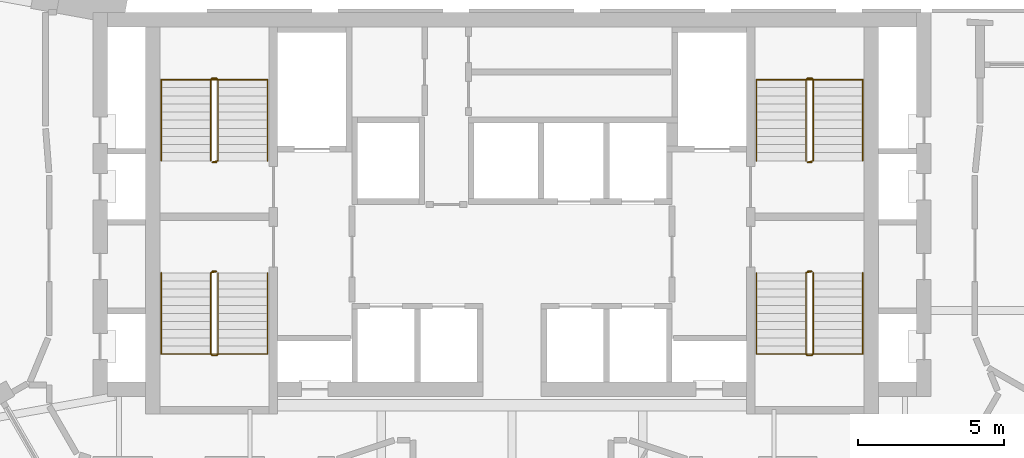
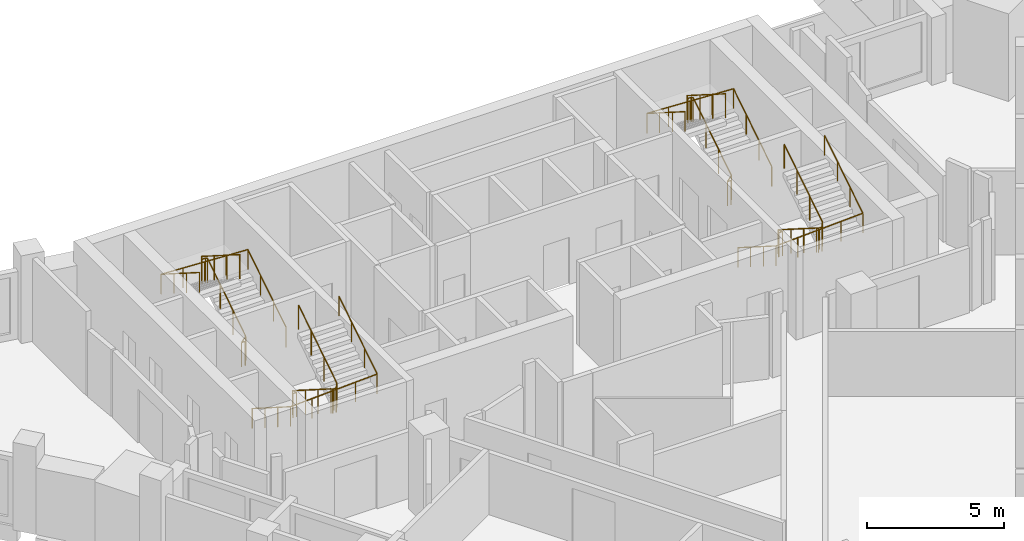
# One storey, part 9 of 9: 8 railings.
"""IFC4 building model written with IfcOpenShell, lengths in metres."""

from ifc_helpers import new_model, si_unit, direction, frame, origin, origin_2d, place, context, subcontext, project, spatial, circle, extrude, material, type_object, element, save


model = new_model("IFC4")

# Units and contexts
model_context = context("Model", 3, precision=1e-05, world=origin(), true_north=direction((0.0, 1.0)))
body_context = subcontext(model_context, "Body", "Model", "MODEL_VIEW")
ifc_project = project(units=[si_unit("LENGTHUNIT", "METRE"), si_unit("AREAUNIT", "SQUARE_METRE"), si_unit("VOLUMEUNIT", "CUBIC_METRE"), si_unit("PLANEANGLEUNIT", "RADIAN"), si_unit("MASSUNIT", "GRAM", prefix="KILO")], contexts=[model_context])

# Site, building, storey
site_placement = place(None, origin())
site = spatial("IfcSite", under=ifc_project, at=site_placement, CompositionType="ELEMENT")
building_placement = place(site_placement, origin())
building = spatial("IfcBuilding", under=site, at=building_placement, Name="Calabash Gate Tower", CompositionType="ELEMENT")
storey_placement = place(building_placement, frame((0.0, 0.0, 235.39990234375)))
storey = spatial("IfcBuildingStorey", under=building, at=storey_placement, Name="L56", CompositionType="ELEMENT", Elevation=235.39990234375)

# Railings
ifc_material_1 = material(Name="Black powder-coated steel balusters", Category="steel")
railing_type_1 = type_object("IfcRailingType", Name="Stair guard RL1100", PredefinedType="GUARDRAIL", material=ifc_material_1)
railing_1_placement = place(storey_placement, frame((-10.14990234375, 13.902587890625, 0.0)))
element("IfcRailing", 1, at=railing_1_placement, inside=storey, type_object=railing_type_1, Name="L56 ST1 stair guard 1", PredefinedType="GUARDRAIL", context=body_context, shape_type="SweptSolid", body=[
    extrude(circle(Radius=0.02392578125, at=origin_2d()), frame((0.0, 0.0, 1.076171875), z_axis=(-1.0, 0.0, 0.0), x_axis=(0.0, -1.0, 0.0)), (0.0, 0.0, 1.0), 0.150146484375),
    extrude(circle(Radius=0.02392578125, at=origin_2d()), frame((-0.150146484375, 0.0, 1.076171875), z_axis=(0.735094037398, 0.183997897029, 0.652519371414), x_axis=(-0.242814311512, 0.970072785993, 0.0)), (0.0, 0.0, 1.0), 0.27197265625),
    extrude(circle(Radius=0.02392578125, at=origin_2d()), frame((0.0498046875, 0.050048828125, 1.25341796875), z_axis=(0.0, 0.844041424197, 0.536277982245), x_axis=(-1.0, 0.0, 0.0)), (0.0, 0.0, 1.0), 3.3056640625),
    extrude(circle(Radius=0.02392578125, at=origin_2d()), frame((0.0498046875, 2.840087890625, 3.0263671875), z_axis=(-0.707106781187, 0.707106781187, 0.0), x_axis=(-0.707106781187, -0.707106781187, 0.0)), (0.0, 0.0, 1.0), 0.0703125),
    extrude(circle(Radius=0.02392578125, at=origin_2d()), frame((0.0, 2.889892578125, 3.0263671875), z_axis=(-1.0, 0.0, 0.0), x_axis=(0.0, -1.0, 0.0)), (0.0, 0.0, 1.0), 0.150146484375),
    extrude(circle(Radius=0.02392578125, at=origin_2d()), frame((-0.150146484375, 2.889892578125, 3.0263671875), z_axis=(-0.262321481514, -0.261041864531, 0.929001929653), x_axis=(0.705375805398, -0.708833529934, 0.0)), (0.0, 0.0, 1.0), 0.190673828125),
    extrude(circle(Radius=0.02392578125, at=origin_2d()), frame((-0.2001953125, 2.840087890625, 3.20361328125), z_axis=(0.0, -0.844041424197, 0.536277982245), x_axis=(1.0, 0.0, 0.0)), (0.0, 0.0, 1.0), 3.3056640625),
    extrude(circle(Radius=0.02099609375, at=origin_2d()), origin(), (0.0, 0.0, 1.0), 1.052001953125),
    extrude(circle(Radius=0.02099609375, at=origin_2d()), frame((-0.150146484375, 0.0, 0.0)), (0.0, 0.0, 1.0), 1.052001953125),
    extrude(circle(Radius=0.02099609375, at=origin_2d()), frame((0.0498046875, 0.050048828125, 0.177490234375)), (0.0, 0.0, 1.0), 1.052001953125),
    extrude(circle(Radius=0.02099609375, at=origin_2d()), frame((0.0498046875, 0.97998046875, 0.768310546875)), (0.0, 0.0, 1.0), 1.052001953125),
    extrude(circle(Radius=0.02099609375, at=origin_2d()), frame((0.0498046875, 1.91015625, 1.359375)), (0.0, 0.0, 1.0), 1.052001953125),
    extrude(circle(Radius=0.02099609375, at=origin_2d()), frame((0.0498046875, 2.840087890625, 1.9501953125)), (0.0, 0.0, 1.0), 1.052001953125),
    extrude(circle(Radius=0.02099609375, at=origin_2d()), frame((0.0, 2.889892578125, 1.9501953125)), (0.0, 0.0, 1.0), 1.052001953125),
    extrude(circle(Radius=0.02099609375, at=origin_2d()), frame((-0.150146484375, 2.889892578125, 1.9501953125)), (0.0, 0.0, 1.0), 1.052001953125),
    extrude(circle(Radius=0.02099609375, at=origin_2d()), frame((-0.2001953125, 2.840087890625, 2.12744140625)), (0.0, 0.0, 1.0), 1.052001953125),
    extrude(circle(Radius=0.02099609375, at=origin_2d()), frame((-0.2001953125, 1.91015625, 2.71826171875)), (0.0, 0.0, 1.0), 1.052001953125),
    extrude(circle(Radius=0.02099609375, at=origin_2d()), frame((-0.2001953125, 0.97998046875, 3.309326171875)), (0.0, 0.0, 1.0), 1.052001953125),
    extrude(circle(Radius=0.02099609375, at=origin_2d()), frame((-0.2001953125, 0.050048828125, 3.900146484375)), (0.0, 0.0, 1.0), 1.052001953125),
])
railing_2_placement = place(storey_placement, frame((-10.300048828125, 10.152587890625, 0.0)))
element("IfcRailing", 2, at=railing_2_placement, inside=storey, type_object=railing_type_1, Name="L56 ST2 stair guard 1", PredefinedType="GUARDRAIL", context=body_context, shape_type="SweptSolid", body=[
    extrude(circle(Radius=0.02392578125, at=origin_2d()), frame((0.0, 0.0, 1.076171875), z_axis=(1.0, 0.0, 0.0), x_axis=(0.0, 1.0, 0.0)), (0.0, 0.0, 1.0), 0.150146484375),
    extrude(circle(Radius=0.02392578125, at=origin_2d()), frame((0.150146484375, 0.0, 1.076171875), z_axis=(-0.735506176693, -0.183876544173, 0.652089012751), x_axis=(0.242535625036, -0.970142500145, 0.0)), (0.0, 0.0, 1.0), 0.272216796875),
    extrude(circle(Radius=0.02392578125, at=origin_2d()), frame((-0.050048828125, -0.050048828125, 1.25341796875), z_axis=(0.0, -0.844041424197, 0.536277982245), x_axis=(1.0, 0.0, 0.0)), (0.0, 0.0, 1.0), 3.3056640625),
    extrude(circle(Radius=0.02392578125, at=origin_2d()), frame((-0.050048828125, -2.840087890625, 3.0263671875), z_axis=(0.708833529934, -0.705375805398, 0.0), x_axis=(0.705375805398, 0.708833529934, 0.0)), (0.0, 0.0, 1.0), 0.070556640625),
    extrude(circle(Radius=0.02392578125, at=origin_2d()), frame((0.0, -2.889892578125, 3.0263671875), z_axis=(1.0, 0.0, 0.0), x_axis=(0.0, 1.0, 0.0)), (0.0, 0.0, 1.0), 0.150146484375),
    extrude(circle(Radius=0.02392578125, at=origin_2d()), frame((0.150146484375, -2.889892578125, 3.0263671875), z_axis=(0.261129318932, 0.261129318932, 0.929313164433), x_axis=(-0.707106781187, 0.707106781187, 0.0)), (0.0, 0.0, 1.0), 0.190673828125),
    extrude(circle(Radius=0.02392578125, at=origin_2d()), frame((0.199951171875, -2.840087890625, 3.20361328125), z_axis=(0.0, 0.844041424197, 0.536277982245), x_axis=(-1.0, 0.0, 0.0)), (0.0, 0.0, 1.0), 3.3056640625),
    extrude(circle(Radius=0.02099609375, at=origin_2d()), origin(), (0.0, 0.0, 1.0), 1.052001953125),
    extrude(circle(Radius=0.02099609375, at=origin_2d()), frame((0.150146484375, 0.0, 0.0)), (0.0, 0.0, 1.0), 1.052001953125),
    extrude(circle(Radius=0.02099609375, at=origin_2d()), frame((-0.050048828125, -0.050048828125, 0.177490234375)), (0.0, 0.0, 1.0), 1.052001953125),
    extrude(circle(Radius=0.02099609375, at=origin_2d()), frame((-0.050048828125, -0.97998046875, 0.768310546875)), (0.0, 0.0, 1.0), 1.052001953125),
    extrude(circle(Radius=0.02099609375, at=origin_2d()), frame((-0.050048828125, -1.91015625, 1.359375)), (0.0, 0.0, 1.0), 1.052001953125),
    extrude(circle(Radius=0.02099609375, at=origin_2d()), frame((-0.050048828125, -2.840087890625, 1.9501953125)), (0.0, 0.0, 1.0), 1.052001953125),
    extrude(circle(Radius=0.02099609375, at=origin_2d()), frame((0.0, -2.889892578125, 1.9501953125)), (0.0, 0.0, 1.0), 1.052001953125),
    extrude(circle(Radius=0.02099609375, at=origin_2d()), frame((0.150146484375, -2.889892578125, 1.9501953125)), (0.0, 0.0, 1.0), 1.052001953125),
    extrude(circle(Radius=0.02099609375, at=origin_2d()), frame((0.199951171875, -2.840087890625, 2.12744140625)), (0.0, 0.0, 1.0), 1.052001953125),
    extrude(circle(Radius=0.02099609375, at=origin_2d()), frame((0.199951171875, -1.91015625, 2.71826171875)), (0.0, 0.0, 1.0), 1.052001953125),
    extrude(circle(Radius=0.02099609375, at=origin_2d()), frame((0.199951171875, -0.97998046875, 3.309326171875)), (0.0, 0.0, 1.0), 1.052001953125),
    extrude(circle(Radius=0.02099609375, at=origin_2d()), frame((0.199951171875, -0.050048828125, 3.900146484375)), (0.0, 0.0, 1.0), 1.052001953125),
])
railing_3_placement = place(storey_placement, frame((10.300048828125, 13.902587890625, 0.0)))
element("IfcRailing", 3, at=railing_3_placement, inside=storey, type_object=railing_type_1, Name="L56 ST3 stair guard 1", PredefinedType="GUARDRAIL", context=body_context, shape_type="SweptSolid", body=[
    extrude(circle(Radius=0.02392578125, at=origin_2d()), frame((0.0, 0.0, 1.076171875), z_axis=(-1.0, 0.0, 0.0), x_axis=(0.0, -1.0, 0.0)), (0.0, 0.0, 1.0), 0.150146484375),
    extrude(circle(Radius=0.02392578125, at=origin_2d()), frame((-0.150146484375, 0.0, 1.076171875), z_axis=(0.735506176693, 0.183876544173, 0.652089012751), x_axis=(-0.242535625036, 0.970142500145, 0.0)), (0.0, 0.0, 1.0), 0.272216796875),
    extrude(circle(Radius=0.02392578125, at=origin_2d()), frame((0.050048828125, 0.050048828125, 1.25341796875), z_axis=(0.0, 0.844041424197, 0.536277982245), x_axis=(-1.0, 0.0, 0.0)), (0.0, 0.0, 1.0), 3.3056640625),
    extrude(circle(Radius=0.02392578125, at=origin_2d()), frame((0.050048828125, 2.840087890625, 3.0263671875), z_axis=(-0.708833529934, 0.705375805398, 0.0), x_axis=(-0.705375805398, -0.708833529934, 0.0)), (0.0, 0.0, 1.0), 0.070556640625),
    extrude(circle(Radius=0.02392578125, at=origin_2d()), frame((0.0, 2.889892578125, 3.0263671875), z_axis=(-1.0, 0.0, 0.0), x_axis=(0.0, -1.0, 0.0)), (0.0, 0.0, 1.0), 0.150146484375),
    extrude(circle(Radius=0.02392578125, at=origin_2d()), frame((-0.150146484375, 2.889892578125, 3.0263671875), z_axis=(-0.261129318932, -0.261129318932, 0.929313164433), x_axis=(0.707106781187, -0.707106781187, 0.0)), (0.0, 0.0, 1.0), 0.190673828125),
    extrude(circle(Radius=0.02392578125, at=origin_2d()), frame((-0.199951171875, 2.840087890625, 3.20361328125), z_axis=(0.0, -0.844041424197, 0.536277982245), x_axis=(1.0, 0.0, 0.0)), (0.0, 0.0, 1.0), 3.3056640625),
    extrude(circle(Radius=0.02099609375, at=origin_2d()), origin(), (0.0, 0.0, 1.0), 1.052001953125),
    extrude(circle(Radius=0.02099609375, at=origin_2d()), frame((-0.150146484375, 0.0, 0.0)), (0.0, 0.0, 1.0), 1.052001953125),
    extrude(circle(Radius=0.02099609375, at=origin_2d()), frame((0.050048828125, 0.050048828125, 0.177490234375)), (0.0, 0.0, 1.0), 1.052001953125),
    extrude(circle(Radius=0.02099609375, at=origin_2d()), frame((0.050048828125, 0.97998046875, 0.768310546875)), (0.0, 0.0, 1.0), 1.052001953125),
    extrude(circle(Radius=0.02099609375, at=origin_2d()), frame((0.050048828125, 1.91015625, 1.359375)), (0.0, 0.0, 1.0), 1.052001953125),
    extrude(circle(Radius=0.02099609375, at=origin_2d()), frame((0.050048828125, 2.840087890625, 1.9501953125)), (0.0, 0.0, 1.0), 1.052001953125),
    extrude(circle(Radius=0.02099609375, at=origin_2d()), frame((0.0, 2.889892578125, 1.9501953125)), (0.0, 0.0, 1.0), 1.052001953125),
    extrude(circle(Radius=0.02099609375, at=origin_2d()), frame((-0.150146484375, 2.889892578125, 1.9501953125)), (0.0, 0.0, 1.0), 1.052001953125),
    extrude(circle(Radius=0.02099609375, at=origin_2d()), frame((-0.199951171875, 2.840087890625, 2.12744140625)), (0.0, 0.0, 1.0), 1.052001953125),
    extrude(circle(Radius=0.02099609375, at=origin_2d()), frame((-0.199951171875, 1.91015625, 2.71826171875)), (0.0, 0.0, 1.0), 1.052001953125),
    extrude(circle(Radius=0.02099609375, at=origin_2d()), frame((-0.199951171875, 0.97998046875, 3.309326171875)), (0.0, 0.0, 1.0), 1.052001953125),
    extrude(circle(Radius=0.02099609375, at=origin_2d()), frame((-0.199951171875, 0.050048828125, 3.900146484375)), (0.0, 0.0, 1.0), 1.052001953125),
])
railing_4_placement = place(storey_placement, frame((10.14990234375, 10.152587890625, 0.0)))
element("IfcRailing", 4, at=railing_4_placement, inside=storey, type_object=railing_type_1, Name="L56 ST4 stair guard 1", PredefinedType="GUARDRAIL", context=body_context, shape_type="SweptSolid", body=[
    extrude(circle(Radius=0.02392578125, at=origin_2d()), frame((0.0, 0.0, 1.076171875), z_axis=(1.0, 0.0, 0.0), x_axis=(0.0, 1.0, 0.0)), (0.0, 0.0, 1.0), 0.150146484375),
    extrude(circle(Radius=0.02392578125, at=origin_2d()), frame((0.150146484375, 0.0, 1.076171875), z_axis=(-0.735094037398, -0.183997897029, 0.652519371414), x_axis=(0.242814311512, -0.970072785993, 0.0)), (0.0, 0.0, 1.0), 0.27197265625),
    extrude(circle(Radius=0.02392578125, at=origin_2d()), frame((-0.0498046875, -0.050048828125, 1.25341796875), z_axis=(0.0, -0.844041424197, 0.536277982245), x_axis=(1.0, 0.0, 0.0)), (0.0, 0.0, 1.0), 3.3056640625),
    extrude(circle(Radius=0.02392578125, at=origin_2d()), frame((-0.0498046875, -2.840087890625, 3.0263671875), z_axis=(0.707106781187, -0.707106781187, 0.0), x_axis=(0.707106781187, 0.707106781187, 0.0)), (0.0, 0.0, 1.0), 0.0703125),
    extrude(circle(Radius=0.02392578125, at=origin_2d()), frame((0.0, -2.889892578125, 3.0263671875), z_axis=(1.0, 0.0, 0.0), x_axis=(0.0, 1.0, 0.0)), (0.0, 0.0, 1.0), 0.150146484375),
    extrude(circle(Radius=0.02392578125, at=origin_2d()), frame((0.150146484375, -2.889892578125, 3.0263671875), z_axis=(0.262321481514, 0.261041864531, 0.929001929653), x_axis=(-0.705375805398, 0.708833529934, 0.0)), (0.0, 0.0, 1.0), 0.190673828125),
    extrude(circle(Radius=0.02392578125, at=origin_2d()), frame((0.2001953125, -2.840087890625, 3.20361328125), z_axis=(0.0, 0.844041424197, 0.536277982245), x_axis=(-1.0, 0.0, 0.0)), (0.0, 0.0, 1.0), 3.3056640625),
    extrude(circle(Radius=0.02099609375, at=origin_2d()), origin(), (0.0, 0.0, 1.0), 1.052001953125),
    extrude(circle(Radius=0.02099609375, at=origin_2d()), frame((0.150146484375, 0.0, 0.0)), (0.0, 0.0, 1.0), 1.052001953125),
    extrude(circle(Radius=0.02099609375, at=origin_2d()), frame((-0.0498046875, -0.050048828125, 0.177490234375)), (0.0, 0.0, 1.0), 1.052001953125),
    extrude(circle(Radius=0.02099609375, at=origin_2d()), frame((-0.0498046875, -0.97998046875, 0.768310546875)), (0.0, 0.0, 1.0), 1.052001953125),
    extrude(circle(Radius=0.02099609375, at=origin_2d()), frame((-0.0498046875, -1.91015625, 1.359375)), (0.0, 0.0, 1.0), 1.052001953125),
    extrude(circle(Radius=0.02099609375, at=origin_2d()), frame((-0.0498046875, -2.840087890625, 1.9501953125)), (0.0, 0.0, 1.0), 1.052001953125),
    extrude(circle(Radius=0.02099609375, at=origin_2d()), frame((0.0, -2.889892578125, 1.9501953125)), (0.0, 0.0, 1.0), 1.052001953125),
    extrude(circle(Radius=0.02099609375, at=origin_2d()), frame((0.150146484375, -2.889892578125, 1.9501953125)), (0.0, 0.0, 1.0), 1.052001953125),
    extrude(circle(Radius=0.02099609375, at=origin_2d()), frame((0.2001953125, -2.840087890625, 2.12744140625)), (0.0, 0.0, 1.0), 1.052001953125),
    extrude(circle(Radius=0.02099609375, at=origin_2d()), frame((0.2001953125, -1.91015625, 2.71826171875)), (0.0, 0.0, 1.0), 1.052001953125),
    extrude(circle(Radius=0.02099609375, at=origin_2d()), frame((0.2001953125, -0.97998046875, 3.309326171875)), (0.0, 0.0, 1.0), 1.052001953125),
    extrude(circle(Radius=0.02099609375, at=origin_2d()), frame((0.2001953125, -0.050048828125, 3.900146484375)), (0.0, 0.0, 1.0), 1.052001953125),
])
ifc_material_2 = material(Name="Black powder-coated steel tube 48 mm", Category="steel")
railing_type_2 = type_object("IfcRailingType", Name="Stair handrail RL900", PredefinedType="HANDRAIL", material=ifc_material_2)
railing_5_placement = place(storey_placement, frame((-8.39990234375, 13.95263671875, 0.177490234375)))
element("IfcRailing", 5, at=railing_5_placement, inside=storey, type_object=railing_type_2, Name="L56 ST1 stair handrail 1", PredefinedType="HANDRAIL", context=body_context, shape_type="SweptSolid", body=[
    extrude(circle(Radius=0.02392578125, at=origin_2d()), frame((0.0, 0.0, 0.8759765625), z_axis=(0.0, 0.844041424197, 0.536277982245), x_axis=(-1.0, 0.0, 0.0)), (0.0, 0.0, 1.0), 3.3056640625),
    extrude(circle(Radius=0.02392578125, at=origin_2d()), frame((0.0, 2.7900390625, 2.6484375), z_axis=(-0.998823110844, 0.0, 0.048501476722), x_axis=(0.0, -1.0, 0.0)), (0.0, 0.0, 1.0), 3.654541015625),
    extrude(circle(Radius=0.02392578125, at=origin_2d()), frame((-3.650146484375, 2.7900390625, 2.82568359375), z_axis=(0.0, -0.844041424197, 0.536277982245), x_axis=(1.0, 0.0, 0.0)), (0.0, 0.0, 1.0), 3.3056640625),
    extrude(circle(Radius=0.02099609375, at=origin_2d()), origin(), (0.0, 0.0, 1.0), 0.851806640625),
    extrude(circle(Radius=0.02099609375, at=origin_2d()), frame((0.0, 0.929931640625, 0.5908203125)), (0.0, 0.0, 1.0), 0.851806640625),
    extrude(circle(Radius=0.02099609375, at=origin_2d()), frame((0.0, 1.860107421875, 1.181884765625)), (0.0, 0.0, 1.0), 0.851806640625),
    extrude(circle(Radius=0.02099609375, at=origin_2d()), frame((0.0, 2.7900390625, 1.772705078125)), (0.0, 0.0, 1.0), 0.851806640625),
    extrude(circle(Radius=0.02099609375, at=origin_2d()), frame((-0.91259765625, 2.7900390625, 1.81689453125)), (0.0, 0.0, 1.0), 0.851806640625),
    extrude(circle(Radius=0.02099609375, at=origin_2d()), frame((-1.8251953125, 2.7900390625, 1.861328125)), (0.0, 0.0, 1.0), 0.851806640625),
    extrude(circle(Radius=0.02099609375, at=origin_2d()), frame((-2.737548828125, 2.7900390625, 1.90576171875)), (0.0, 0.0, 1.0), 0.851806640625),
    extrude(circle(Radius=0.02099609375, at=origin_2d()), frame((-3.650146484375, 2.7900390625, 1.949951171875)), (0.0, 0.0, 1.0), 0.851806640625),
    extrude(circle(Radius=0.02099609375, at=origin_2d()), frame((-3.650146484375, 1.860107421875, 2.540771484375)), (0.0, 0.0, 1.0), 0.851806640625),
    extrude(circle(Radius=0.02099609375, at=origin_2d()), frame((-3.650146484375, 0.929931640625, 3.1318359375)), (0.0, 0.0, 1.0), 0.851806640625),
    extrude(circle(Radius=0.02099609375, at=origin_2d()), frame((-3.650146484375, 0.0, 3.72265625)), (0.0, 0.0, 1.0), 0.851806640625),
])
railing_6_placement = place(storey_placement, frame((-12.050048828125, 10.1025390625, 0.177490234375)))
element("IfcRailing", 6, at=railing_6_placement, inside=storey, type_object=railing_type_2, Name="L56 ST2 stair handrail 1", PredefinedType="HANDRAIL", context=body_context, shape_type="SweptSolid", body=[
    extrude(circle(Radius=0.02392578125, at=origin_2d()), frame((0.0, 0.0, 0.8759765625), z_axis=(0.0, -0.844041424197, 0.536277982245), x_axis=(1.0, 0.0, 0.0)), (0.0, 0.0, 1.0), 3.3056640625),
    extrude(circle(Radius=0.02392578125, at=origin_2d()), frame((0.0, -2.7900390625, 2.6484375), z_axis=(0.998823110844, 0.0, 0.048501476722), x_axis=(0.0, 1.0, 0.0)), (0.0, 0.0, 1.0), 3.654541015625),
    extrude(circle(Radius=0.02392578125, at=origin_2d()), frame((3.650146484375, -2.7900390625, 2.82568359375), z_axis=(0.0, 0.844041424197, 0.536277982245), x_axis=(-1.0, 0.0, 0.0)), (0.0, 0.0, 1.0), 3.3056640625),
    extrude(circle(Radius=0.02099609375, at=origin_2d()), origin(), (0.0, 0.0, 1.0), 0.851806640625),
    extrude(circle(Radius=0.02099609375, at=origin_2d()), frame((0.0, -0.929931640625, 0.5908203125)), (0.0, 0.0, 1.0), 0.851806640625),
    extrude(circle(Radius=0.02099609375, at=origin_2d()), frame((0.0, -1.860107421875, 1.181884765625)), (0.0, 0.0, 1.0), 0.851806640625),
    extrude(circle(Radius=0.02099609375, at=origin_2d()), frame((0.0, -2.7900390625, 1.772705078125)), (0.0, 0.0, 1.0), 0.851806640625),
    extrude(circle(Radius=0.02099609375, at=origin_2d()), frame((0.91259765625, -2.7900390625, 1.81689453125)), (0.0, 0.0, 1.0), 0.851806640625),
    extrude(circle(Radius=0.02099609375, at=origin_2d()), frame((1.8251953125, -2.7900390625, 1.861328125)), (0.0, 0.0, 1.0), 0.851806640625),
    extrude(circle(Radius=0.02099609375, at=origin_2d()), frame((2.737548828125, -2.7900390625, 1.90576171875)), (0.0, 0.0, 1.0), 0.851806640625),
    extrude(circle(Radius=0.02099609375, at=origin_2d()), frame((3.650146484375, -2.7900390625, 1.949951171875)), (0.0, 0.0, 1.0), 0.851806640625),
    extrude(circle(Radius=0.02099609375, at=origin_2d()), frame((3.650146484375, -1.860107421875, 2.540771484375)), (0.0, 0.0, 1.0), 0.851806640625),
    extrude(circle(Radius=0.02099609375, at=origin_2d()), frame((3.650146484375, -0.929931640625, 3.1318359375)), (0.0, 0.0, 1.0), 0.851806640625),
    extrude(circle(Radius=0.02099609375, at=origin_2d()), frame((3.650146484375, 0.0, 3.72265625)), (0.0, 0.0, 1.0), 0.851806640625),
])
railing_7_placement = place(storey_placement, frame((12.050048828125, 13.95263671875, 0.177490234375)))
element("IfcRailing", 7, at=railing_7_placement, inside=storey, type_object=railing_type_2, Name="L56 ST3 stair handrail 1", PredefinedType="HANDRAIL", context=body_context, shape_type="SweptSolid", body=[
    extrude(circle(Radius=0.02392578125, at=origin_2d()), frame((0.0, 0.0, 0.8759765625), z_axis=(0.0, 0.844041424197, 0.536277982245), x_axis=(-1.0, 0.0, 0.0)), (0.0, 0.0, 1.0), 3.3056640625),
    extrude(circle(Radius=0.02392578125, at=origin_2d()), frame((0.0, 2.7900390625, 2.6484375), z_axis=(-0.998823110844, 0.0, 0.048501476722), x_axis=(0.0, -1.0, 0.0)), (0.0, 0.0, 1.0), 3.654541015625),
    extrude(circle(Radius=0.02392578125, at=origin_2d()), frame((-3.650146484375, 2.7900390625, 2.82568359375), z_axis=(0.0, -0.844041424197, 0.536277982245), x_axis=(1.0, 0.0, 0.0)), (0.0, 0.0, 1.0), 3.3056640625),
    extrude(circle(Radius=0.02099609375, at=origin_2d()), origin(), (0.0, 0.0, 1.0), 0.851806640625),
    extrude(circle(Radius=0.02099609375, at=origin_2d()), frame((0.0, 0.929931640625, 0.5908203125)), (0.0, 0.0, 1.0), 0.851806640625),
    extrude(circle(Radius=0.02099609375, at=origin_2d()), frame((0.0, 1.860107421875, 1.181884765625)), (0.0, 0.0, 1.0), 0.851806640625),
    extrude(circle(Radius=0.02099609375, at=origin_2d()), frame((0.0, 2.7900390625, 1.772705078125)), (0.0, 0.0, 1.0), 0.851806640625),
    extrude(circle(Radius=0.02099609375, at=origin_2d()), frame((-0.91259765625, 2.7900390625, 1.81689453125)), (0.0, 0.0, 1.0), 0.851806640625),
    extrude(circle(Radius=0.02099609375, at=origin_2d()), frame((-1.8251953125, 2.7900390625, 1.861328125)), (0.0, 0.0, 1.0), 0.851806640625),
    extrude(circle(Radius=0.02099609375, at=origin_2d()), frame((-2.737548828125, 2.7900390625, 1.90576171875)), (0.0, 0.0, 1.0), 0.851806640625),
    extrude(circle(Radius=0.02099609375, at=origin_2d()), frame((-3.650146484375, 2.7900390625, 1.949951171875)), (0.0, 0.0, 1.0), 0.851806640625),
    extrude(circle(Radius=0.02099609375, at=origin_2d()), frame((-3.650146484375, 1.860107421875, 2.540771484375)), (0.0, 0.0, 1.0), 0.851806640625),
    extrude(circle(Radius=0.02099609375, at=origin_2d()), frame((-3.650146484375, 0.929931640625, 3.1318359375)), (0.0, 0.0, 1.0), 0.851806640625),
    extrude(circle(Radius=0.02099609375, at=origin_2d()), frame((-3.650146484375, 0.0, 3.72265625)), (0.0, 0.0, 1.0), 0.851806640625),
])
railing_8_placement = place(storey_placement, frame((8.39990234375, 10.1025390625, 0.177490234375)))
element("IfcRailing", 8, at=railing_8_placement, inside=storey, type_object=railing_type_2, Name="L56 ST4 stair handrail 1", PredefinedType="HANDRAIL", context=body_context, shape_type="SweptSolid", body=[
    extrude(circle(Radius=0.02392578125, at=origin_2d()), frame((0.0, 0.0, 0.8759765625), z_axis=(0.0, -0.844041424197, 0.536277982245), x_axis=(1.0, 0.0, 0.0)), (0.0, 0.0, 1.0), 3.3056640625),
    extrude(circle(Radius=0.02392578125, at=origin_2d()), frame((0.0, -2.7900390625, 2.6484375), z_axis=(0.998823110844, 0.0, 0.048501476722), x_axis=(0.0, 1.0, 0.0)), (0.0, 0.0, 1.0), 3.654541015625),
    extrude(circle(Radius=0.02392578125, at=origin_2d()), frame((3.650146484375, -2.7900390625, 2.82568359375), z_axis=(0.0, 0.844041424197, 0.536277982245), x_axis=(-1.0, 0.0, 0.0)), (0.0, 0.0, 1.0), 3.3056640625),
    extrude(circle(Radius=0.02099609375, at=origin_2d()), origin(), (0.0, 0.0, 1.0), 0.851806640625),
    extrude(circle(Radius=0.02099609375, at=origin_2d()), frame((0.0, -0.929931640625, 0.5908203125)), (0.0, 0.0, 1.0), 0.851806640625),
    extrude(circle(Radius=0.02099609375, at=origin_2d()), frame((0.0, -1.860107421875, 1.181884765625)), (0.0, 0.0, 1.0), 0.851806640625),
    extrude(circle(Radius=0.02099609375, at=origin_2d()), frame((0.0, -2.7900390625, 1.772705078125)), (0.0, 0.0, 1.0), 0.851806640625),
    extrude(circle(Radius=0.02099609375, at=origin_2d()), frame((0.91259765625, -2.7900390625, 1.81689453125)), (0.0, 0.0, 1.0), 0.851806640625),
    extrude(circle(Radius=0.02099609375, at=origin_2d()), frame((1.8251953125, -2.7900390625, 1.861328125)), (0.0, 0.0, 1.0), 0.851806640625),
    extrude(circle(Radius=0.02099609375, at=origin_2d()), frame((2.737548828125, -2.7900390625, 1.90576171875)), (0.0, 0.0, 1.0), 0.851806640625),
    extrude(circle(Radius=0.02099609375, at=origin_2d()), frame((3.650146484375, -2.7900390625, 1.949951171875)), (0.0, 0.0, 1.0), 0.851806640625),
    extrude(circle(Radius=0.02099609375, at=origin_2d()), frame((3.650146484375, -1.860107421875, 2.540771484375)), (0.0, 0.0, 1.0), 0.851806640625),
    extrude(circle(Radius=0.02099609375, at=origin_2d()), frame((3.650146484375, -0.929931640625, 3.1318359375)), (0.0, 0.0, 1.0), 0.851806640625),
    extrude(circle(Radius=0.02099609375, at=origin_2d()), frame((3.650146484375, 0.0, 3.72265625)), (0.0, 0.0, 1.0), 0.851806640625),
])

save(model, "model.ifc")
